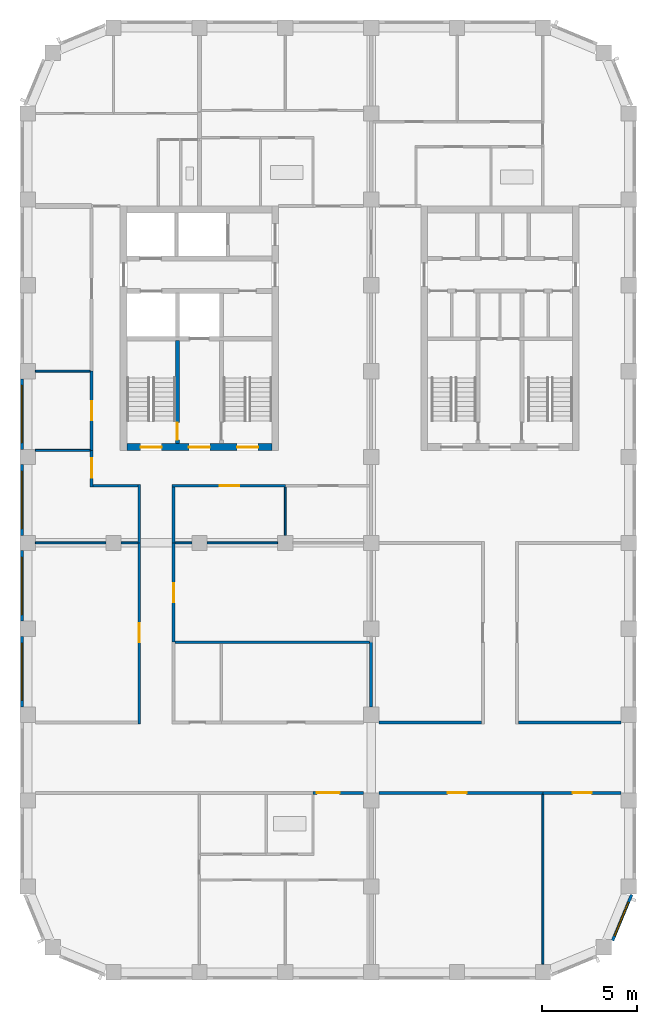
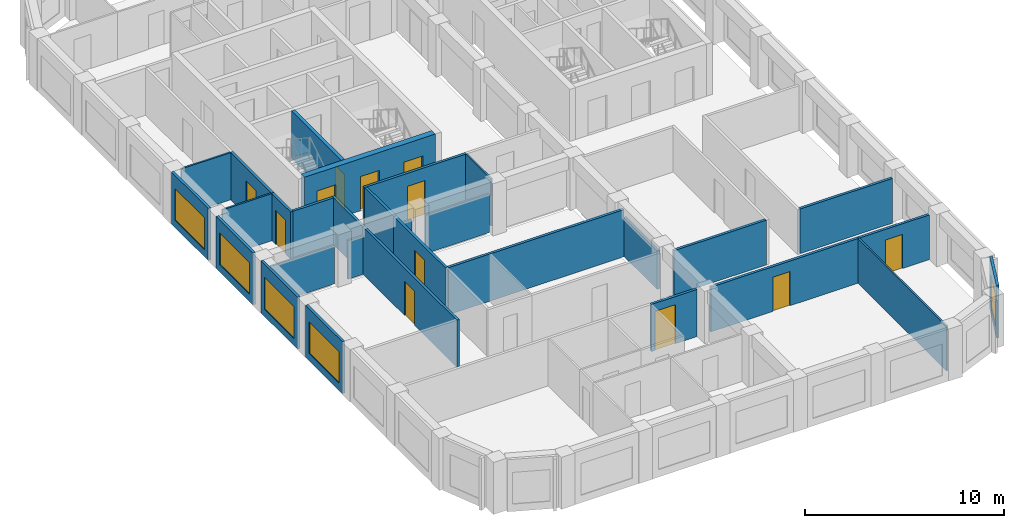
# One storey, part 3 of 10: 30 walls, 12 doors, 5 windows, 17 openings.
"""IFC4 building model written with IfcOpenShell, lengths in metres."""

from ifc_helpers import new_model, si_unit, direction, frame, frame_2d, origin, place, context, subcontext, project, spatial, rectangle, extrude, material, layer, layer_set, type_object, element, fill, save


model = new_model("IFC4")

# Units and contexts
model_context = context("Model", 3, precision=1e-05, world=origin(), true_north=direction((0.0, 1.0)))
body_context = subcontext(model_context, "Body", "Model", "MODEL_VIEW")
ifc_project = project(units=[si_unit("LENGTHUNIT", "METRE"), si_unit("AREAUNIT", "SQUARE_METRE"), si_unit("VOLUMEUNIT", "CUBIC_METRE"), si_unit("PLANEANGLEUNIT", "RADIAN"), si_unit("MASSUNIT", "GRAM", prefix="KILO")], contexts=[model_context])

# Site, building, storey
site_placement = place(None, origin())
site = spatial("IfcSite", under=ifc_project, at=site_placement, CompositionType="ELEMENT")
building_placement = place(site_placement, origin())
building = spatial("IfcBuilding", under=site, at=building_placement, Name="Girih Gate Residences", CompositionType="ELEMENT")
storey_placement = place(building_placement, frame((0.0, 0.0, 210.094970703125)))
storey = spatial("IfcBuildingStorey", under=building, at=storey_placement, Name="L58", CompositionType="ELEMENT", Elevation=210.094970703125)

# Wall, opening, door
ifc_material_1 = material(Name="Gypsum board on steel studs", Category="steel")
ifc_layer_1 = layer(ifc_material_1, 0.14990234375)
ifc_layer_set_1 = layer_set([ifc_layer_1], Name="Compartment wall 150 mm")
wall_type_1 = type_object("IfcWallType", Name="Compartment wall 150 mm", PredefinedType="PARTITIONING", material=ifc_layer_set_1)
wall_1_placement = place(storey_placement, frame((17.60009765625, 9.39990234375, 0.0), z_axis=(0.0, 0.0, 1.0), x_axis=(-1.0, 0.0, 0.0)))
wall_1 = element("IfcWall", 1, at=wall_1_placement, inside=storey, type_object=wall_type_1, Name="L58 partition", PredefinedType="PARTITIONING", context=body_context, shape_type="SweptSolid", body=[
    extrude(rectangle(XDim=2.650146484375, YDim=0.14990234375, at=frame_2d((1.3251953125, 0.0))), origin(), (0.0, 0.0, 1.0), 2.900146484375),
])
opening_1_placement = place(wall_1_placement, frame((1.25, 0.0, 0.0)))
opening_1 = element("IfcOpeningElement", 2, at=opening_1_placement, cuts=wall_1, Name="Opening A58-006", PredefinedType="OPENING", context=body_context, shape_type="SweptSolid", body=[
    extrude(rectangle(XDim=1.199951171875, YDim=2.39990234375, at=frame_2d((0.60009765625, 1.199951171875))), frame((0.0, 0.0849609375, 0.0), z_axis=(0.0, -1.0, 0.0), x_axis=(1.0, 0.0, 0.0)), (0.0, 0.0, 1.0), 0.169921875),
])
ifc_material_2 = material(Name="Timber, fire-rated core", Category="wood")
door_type_1 = type_object("IfcDoorType", Name="Villa entrance door 1200x2400 FD30S", OperationType="NOTDEFINED", PredefinedType="DOOR", material=ifc_material_2)
door_1_placement = place(opening_1_placement, origin())
door_1 = element("IfcDoor", 3, at=door_1_placement, inside=storey, type_object=door_type_1, Name="Door A58-006", OperationType="SINGLE_SWING_RIGHT", OverallHeight=2.39990234375, OverallWidth=1.199951171875, PredefinedType="DOOR", context=body_context, shape_type="SweptSolid", body=[
    extrude(rectangle(XDim=1.199951171875, YDim=2.39990234375, at=frame_2d((0.60009765625, 1.199951171875))), frame((0.0, 0.02490234375, 0.0), z_axis=(0.0, -1.0, 0.0), x_axis=(1.0, 0.0, 0.0)), (0.0, 0.0, 1.0), 0.050048828125),
])
fill(opening_1, door_1)

wall_2_placement = place(storey_placement, frame((7.64990234375, 22.5, 0.0), z_axis=(0.0, 0.0, 1.0), x_axis=(0.0, -1.0, 0.0)))
wall_2 = element("IfcWall", 4, at=wall_2_placement, inside=storey, type_object=wall_type_1, Name="L58 partition", PredefinedType="PARTITIONING", context=body_context, shape_type="SweptSolid", body=[
    extrude(rectangle(XDim=5.199951171875, YDim=0.14990234375, at=frame_2d((2.60009765625, 0.0))), origin(), (0.0, 0.0, 1.0), 2.900146484375),
])
opening_2_placement = place(wall_2_placement, frame((2.10009765625, 0.0, 0.0)))
opening_2 = element("IfcOpeningElement", 5, at=opening_2_placement, cuts=wall_2, Name="Opening A58-023", PredefinedType="OPENING", context=body_context, shape_type="SweptSolid", body=[
    extrude(rectangle(XDim=1.0, YDim=2.10009765625, at=frame_2d((0.5, 1.050048828125))), frame((0.0, 0.0849609375, 0.0), z_axis=(0.0, -1.0, 0.0), x_axis=(1.0, 0.0, 0.0)), (0.0, 0.0, 1.0), 0.169921875),
])
door_type_2 = type_object("IfcDoorType", Name="Amenity room door 1000x2100 FD30S", OperationType="NOTDEFINED", PredefinedType="DOOR", material=ifc_material_2)
door_2_placement = place(opening_2_placement, origin())
door_2 = element("IfcDoor", 6, at=door_2_placement, inside=storey, type_object=door_type_2, Name="Door A58-023", OperationType="SINGLE_SWING_RIGHT", OverallHeight=2.10009765625, OverallWidth=1.0, PredefinedType="DOOR", context=body_context, shape_type="SweptSolid", body=[
    extrude(rectangle(XDim=1.0, YDim=2.10009765625, at=frame_2d((0.5, 1.050048828125))), frame((0.0, 0.02490234375, 0.0), z_axis=(0.0, -1.0, 0.0), x_axis=(1.0, 0.0, 0.0)), (0.0, 0.0, 1.0), 0.050048828125),
])
fill(opening_2, door_2)

# Wall
wall_3_placement = place(storey_placement, frame((7.72509765625, 17.300048828125, 0.0), z_axis=(0.0, 0.0, 1.0), x_axis=(1.0, 0.0, 0.0)))
element("IfcWall", 7, at=wall_3_placement, inside=storey, type_object=wall_type_1, Name="L58 partition", PredefinedType="PARTITIONING", context=body_context, shape_type="SweptSolid", body=[
    extrude(rectangle(XDim=10.199951171875, YDim=0.14990234375, at=frame_2d((5.10009765625, 0.0))), origin(), (0.0, 0.0, 1.0), 2.900146484375),
])

# Wall, opening, door
wall_4_placement = place(storey_placement, frame((27.0, 9.39990234375, 0.0), z_axis=(0.0, 0.0, 1.0), x_axis=(-1.0, 0.0, 0.0)))
wall_4 = element("IfcWall", 8, at=wall_4_placement, inside=storey, type_object=wall_type_1, Name="L58 partition", PredefinedType="PARTITIONING", context=body_context, shape_type="SweptSolid", body=[
    extrude(rectangle(XDim=8.60009765625, YDim=0.14990234375, at=frame_2d((4.300048828125, 0.0))), origin(), (0.0, 0.0, 1.0), 2.75),
])
opening_3_placement = place(wall_4_placement, frame((4.0, 0.0, 0.0)))
opening_3 = element("IfcOpeningElement", 9, at=opening_3_placement, cuts=wall_4, Name="Opening A58-025", PredefinedType="OPENING", context=body_context, shape_type="SweptSolid", body=[
    extrude(rectangle(XDim=1.0, YDim=2.10009765625, at=frame_2d((0.5, 1.050048828125))), frame((0.0, 0.0849609375, 0.0), z_axis=(0.0, -1.0, 0.0), x_axis=(1.0, 0.0, 0.0)), (0.0, 0.0, 1.0), 0.169921875),
])
door_3_placement = place(opening_3_placement, origin())
door_3 = element("IfcDoor", 10, at=door_3_placement, inside=storey, type_object=door_type_2, Name="Door A58-025", OperationType="SINGLE_SWING_RIGHT", OverallHeight=2.10009765625, OverallWidth=1.0, PredefinedType="DOOR", context=body_context, shape_type="SweptSolid", body=[
    extrude(rectangle(XDim=1.0, YDim=2.10009765625, at=frame_2d((0.5, 1.050048828125))), frame((0.0, 0.02490234375, 0.0), z_axis=(0.0, -1.0, 0.0), x_axis=(1.0, 0.0, 0.0)), (0.0, 0.0, 1.0), 0.050048828125),
])
fill(opening_3, door_3)

wall_5_placement = place(storey_placement, frame((31.10009765625, 9.39990234375, 0.0), z_axis=(0.0, 0.0, 1.0), x_axis=(-1.0, 0.0, 0.0)))
wall_5 = element("IfcWall", 11, at=wall_5_placement, inside=storey, type_object=wall_type_1, Name="L58 partition", PredefinedType="PARTITIONING", context=body_context, shape_type="SweptSolid", body=[
    extrude(rectangle(XDim=4.10009765625, YDim=0.14990234375, at=frame_2d((2.050048828125, 0.0))), origin(), (0.0, 0.0, 1.0), 2.75),
])
opening_4_placement = place(wall_5_placement, frame((1.550048828125, 0.0, 0.0)))
opening_4 = element("IfcOpeningElement", 12, at=opening_4_placement, cuts=wall_5, Name="Opening A58-026", PredefinedType="OPENING", context=body_context, shape_type="SweptSolid", body=[
    extrude(rectangle(XDim=1.0, YDim=2.10009765625, at=frame_2d((0.5, 1.050048828125))), frame((0.0, 0.0849609375, 0.0), z_axis=(0.0, -1.0, 0.0), x_axis=(1.0, 0.0, 0.0)), (0.0, 0.0, 1.0), 0.169921875),
])
door_4_placement = place(opening_4_placement, origin())
door_4 = element("IfcDoor", 13, at=door_4_placement, inside=storey, type_object=door_type_2, Name="Door A58-026", OperationType="SINGLE_SWING_RIGHT", OverallHeight=2.10009765625, OverallWidth=1.0, PredefinedType="DOOR", context=body_context, shape_type="SweptSolid", body=[
    extrude(rectangle(XDim=1.0, YDim=2.10009765625, at=frame_2d((0.5, 1.050048828125))), frame((0.0, 0.02490234375, 0.0), z_axis=(0.0, -1.0, 0.0), x_axis=(1.0, 0.0, 0.0)), (0.0, 0.0, 1.0), 0.050048828125),
])
fill(opening_4, door_4)

# Walls
for number, where, z_axis, x_axis, name in (
    (14, (18.39990234375, 13.10009765625, 0.0), (0.0, 0.0, 1.0), (1.0, 0.0, 0.0), "L58 partition"),
    (15, (25.72509765625, 13.10009765625, 0.0), (0.0, 0.0, 1.0), (1.0, 0.0, 0.0), "L58 partition"),
):
    element("IfcWall", number, at=place(storey_placement, frame(where, z_axis=z_axis, x_axis=x_axis)), inside=storey, type_object=wall_type_1, Name=name, PredefinedType="PARTITIONING", context=body_context, shape_type="SweptSolid", body=[
        extrude(rectangle(XDim=5.375, YDim=0.14990234375, at=frame_2d((2.6875, 0.0))), origin(), (0.0, 0.0, 1.0), 2.75),
    ])
wall_6_placement = place(storey_placement, frame((18.0, 13.89990234375, 0.0), z_axis=(0.0, 0.0, 1.0), x_axis=(0.0, 1.0, 0.0)))
element("IfcWall", 16, at=wall_6_placement, inside=storey, type_object=wall_type_1, Name="L58 partition", PredefinedType="PARTITIONING", context=body_context, shape_type="SweptSolid", body=[
    extrude(rectangle(XDim=3.400146484375, YDim=0.14990234375, at=frame_2d((1.7001953125, 0.0))), origin(), (0.0, 0.0, 1.0), 2.380126953125),
])
wall_7_placement = place(storey_placement, frame((5.85009765625, 22.5, 0.0), z_axis=(0.0, 0.0, 1.0), x_axis=(0.0, 1.0, 0.0)))
element("IfcWall", 17, at=wall_7_placement, inside=storey, type_object=wall_type_1, Name="L58 partition", PredefinedType="PARTITIONING", context=body_context, shape_type="SweptSolid", body=[
    extrude(rectangle(XDim=3.074951171875, YDim=0.14990234375, at=frame_2d((1.53759765625, 0.0))), origin(), (0.0, 0.0, 1.0), 2.900146484375),
])
wall_8_placement = place(storey_placement, frame((3.425048828125, 25.5, 0.0), z_axis=(0.0, 0.0, 1.0), x_axis=(1.0, 0.0, 0.0)))
element("IfcWall", 18, at=wall_8_placement, inside=storey, type_object=wall_type_1, Name="L58 partition", PredefinedType="PARTITIONING", context=body_context, shape_type="SweptSolid", body=[
    extrude(rectangle(XDim=2.349853515625, YDim=0.14990234375, at=frame_2d((1.1748046875, 0.0))), origin(), (0.0, 0.0, 1.0), 2.900146484375),
])

# Wall, opening, door
wall_9_placement = place(storey_placement, frame((3.35009765625, 25.425048828125, 0.0), z_axis=(0.0, 0.0, 1.0), x_axis=(0.0, 1.0, 0.0)))
wall_9 = element("IfcWall", 19, at=wall_9_placement, inside=storey, type_object=wall_type_1, Name="L58 partition", PredefinedType="PARTITIONING", context=body_context, shape_type="SweptSolid", body=[
    extrude(rectangle(XDim=1.925048828125, YDim=0.14990234375, at=frame_2d((0.96240234375, 0.0))), origin(), (0.0, 0.0, 1.0), 2.900146484375),
])
opening_5_placement = place(wall_9_placement, frame((0.5, 0.0, 0.0)))
opening_5 = element("IfcOpeningElement", 20, at=opening_5_placement, cuts=wall_9, Name="Opening A58-031", PredefinedType="OPENING", context=body_context, shape_type="SweptSolid", body=[
    extrude(rectangle(XDim=1.0, YDim=2.10009765625, at=frame_2d((0.5, 1.050048828125))), frame((0.0, 0.0849609375, 0.0), z_axis=(0.0, -1.0, 0.0), x_axis=(1.0, 0.0, 0.0)), (0.0, 0.0, 1.0), 0.169921875),
])
door_5_placement = place(opening_5_placement, origin())
door_5 = element("IfcDoor", 21, at=door_5_placement, inside=storey, type_object=door_type_2, Name="Door A58-031", OperationType="SINGLE_SWING_RIGHT", OverallHeight=2.10009765625, OverallWidth=1.0, PredefinedType="DOOR", context=body_context, shape_type="SweptSolid", body=[
    extrude(rectangle(XDim=1.0, YDim=2.10009765625, at=frame_2d((0.5, 1.050048828125))), frame((0.0, 0.02490234375, 0.0), z_axis=(0.0, -1.0, 0.0), x_axis=(1.0, 0.0, 0.0)), (0.0, 0.0, 1.0), 0.050048828125),
])
fill(opening_5, door_5)

wall_10_placement = place(storey_placement, frame((13.5, 25.5, 0.0), z_axis=(0.0, 0.0, 1.0), x_axis=(-1.0, 0.0, 0.0)))
wall_10 = element("IfcWall", 22, at=wall_10_placement, inside=storey, type_object=wall_type_1, Name="L58 partition", PredefinedType="PARTITIONING", context=body_context, shape_type="SweptSolid", body=[
    extrude(rectangle(XDim=5.925048828125, YDim=0.14990234375, at=frame_2d((2.96240234375, 0.0))), origin(), (0.0, 0.0, 1.0), 2.900146484375),
])
opening_6_placement = place(wall_10_placement, frame((2.425048828125, 0.0, 0.0)))
opening_6 = element("IfcOpeningElement", 23, at=opening_6_placement, cuts=wall_10, Name="Opening A58-032", PredefinedType="OPENING", context=body_context, shape_type="SweptSolid", body=[
    extrude(rectangle(XDim=1.0, YDim=2.10009765625, at=frame_2d((0.5, 1.050048828125))), frame((0.0, 0.0849609375, 0.0), z_axis=(0.0, -1.0, 0.0), x_axis=(1.0, 0.0, 0.0)), (0.0, 0.0, 1.0), 0.169921875),
])
door_6_placement = place(opening_6_placement, origin())
door_6 = element("IfcDoor", 24, at=door_6_placement, inside=storey, type_object=door_type_2, Name="Door A58-032", OperationType="SINGLE_SWING_LEFT", OverallHeight=2.10009765625, OverallWidth=1.0, PredefinedType="DOOR", context=body_context, shape_type="SweptSolid", body=[
    extrude(rectangle(XDim=1.0, YDim=2.10009765625, at=frame_2d((0.5, 1.050048828125))), frame((0.0, 0.02490234375, 0.0), z_axis=(0.0, -1.0, 0.0), x_axis=(1.0, 0.0, 0.0)), (0.0, 0.0, 1.0), 0.050048828125),
])
fill(opening_6, door_6)

# Wall
wall_11_placement = place(storey_placement, frame((7.64990234375, 22.5, 0.0), z_axis=(0.0, 0.0, 1.0), x_axis=(0.0, 1.0, 0.0)))
element("IfcWall", 25, at=wall_11_placement, inside=storey, type_object=wall_type_1, Name="L58 partition", PredefinedType="PARTITIONING", context=body_context, shape_type="SweptSolid", body=[
    extrude(rectangle(XDim=2.925048828125, YDim=0.14990234375, at=frame_2d((1.46240234375, 0.0))), origin(), (0.0, 0.0, 1.0), 2.900146484375),
])

# Wall, opening, door
wall_12_placement = place(storey_placement, frame((3.35009765625, 27.35009765625, 0.0), z_axis=(0.0, 0.0, 1.0), x_axis=(0.0, 1.0, 0.0)))
wall_12 = element("IfcWall", 26, at=wall_12_placement, inside=storey, type_object=wall_type_1, Name="L58 partition", PredefinedType="PARTITIONING", context=body_context, shape_type="SweptSolid", body=[
    extrude(rectangle(XDim=4.14990234375, YDim=0.14990234375, at=frame_2d((2.074951171875, 0.0))), origin(), (0.0, 0.0, 1.0), 2.900146484375),
])
opening_7_placement = place(wall_12_placement, frame((1.574951171875, 0.0, 0.0)))
opening_7 = element("IfcOpeningElement", 27, at=opening_7_placement, cuts=wall_12, Name="Opening A58-034", PredefinedType="OPENING", context=body_context, shape_type="SweptSolid", body=[
    extrude(rectangle(XDim=1.0, YDim=2.10009765625, at=frame_2d((0.5, 1.050048828125))), frame((0.0, 0.0849609375, 0.0), z_axis=(0.0, -1.0, 0.0), x_axis=(1.0, 0.0, 0.0)), (0.0, 0.0, 1.0), 0.169921875),
])
door_7_placement = place(opening_7_placement, origin())
door_7 = element("IfcDoor", 28, at=door_7_placement, inside=storey, type_object=door_type_2, Name="Door A58-034", OperationType="SINGLE_SWING_RIGHT", OverallHeight=2.10009765625, OverallWidth=1.0, PredefinedType="DOOR", context=body_context, shape_type="SweptSolid", body=[
    extrude(rectangle(XDim=1.0, YDim=2.10009765625, at=frame_2d((0.5, 1.050048828125))), frame((0.0, 0.02490234375, 0.0), z_axis=(0.0, -1.0, 0.0), x_axis=(1.0, 0.0, 0.0)), (0.0, 0.0, 1.0), 0.050048828125),
])
fill(opening_7, door_7)

wall_13_placement = place(storey_placement, frame((5.85009765625, 13.02490234375, 0.0), z_axis=(0.0, 0.0, 1.0), x_axis=(0.0, 1.0, 0.0)))
wall_13 = element("IfcWall", 29, at=wall_13_placement, inside=storey, type_object=wall_type_1, Name="L58 partition", PredefinedType="PARTITIONING", context=body_context, shape_type="SweptSolid", body=[
    extrude(rectangle(XDim=9.47509765625, YDim=0.14990234375, at=frame_2d((4.737548828125, 0.0))), origin(), (0.0, 0.0, 1.0), 2.900146484375),
])
opening_8_placement = place(wall_13_placement, frame((4.27490234375, 0.0, 0.0)))
opening_8 = element("IfcOpeningElement", 30, at=opening_8_placement, cuts=wall_13, Name="Opening A58-036", PredefinedType="OPENING", context=body_context, shape_type="SweptSolid", body=[
    extrude(rectangle(XDim=1.0, YDim=2.10009765625, at=frame_2d((0.5, 1.050048828125))), frame((0.0, 0.0849609375, 0.0), z_axis=(0.0, -1.0, 0.0), x_axis=(1.0, 0.0, 0.0)), (0.0, 0.0, 1.0), 0.169921875),
])
door_8_placement = place(opening_8_placement, origin())
door_8 = element("IfcDoor", 31, at=door_8_placement, inside=storey, type_object=door_type_2, Name="Door A58-036", OperationType="SINGLE_SWING_RIGHT", OverallHeight=2.10009765625, OverallWidth=1.0, PredefinedType="DOOR", context=body_context, shape_type="SweptSolid", body=[
    extrude(rectangle(XDim=1.0, YDim=2.10009765625, at=frame_2d((0.5, 1.050048828125))), frame((0.0, 0.02490234375, 0.0), z_axis=(0.0, -1.0, 0.0), x_axis=(1.0, 0.0, 0.0)), (0.0, 0.0, 1.0), 0.050048828125),
])
fill(opening_8, door_8)

# Wall, openings, doors
ifc_material_3 = material(Name="Concrete C60/75", Category="concrete")
ifc_layer_2 = layer(ifc_material_3, 0.35009765625)
ifc_layer_set_2 = layer_set([ifc_layer_2], Name="Core wall RC 350 Concrete C60/75")
wall_type_2 = type_object("IfcWallType", Name="Core wall RC 350 Concrete C60/75", PredefinedType="SOLIDWALL", material=ifc_layer_set_2)
wall_14_placement = place(storey_placement, frame((5.199951171875, 27.52490234375, 0.0), z_axis=(0.0, 0.0, 1.0), x_axis=(1.0, 0.0, 0.0)))
wall_14 = element("IfcWall", 32, at=wall_14_placement, inside=storey, type_object=wall_type_2, Name="Core wall W-S L58", PredefinedType="SOLIDWALL", context=body_context, shape_type="SweptSolid", body=[
    extrude(rectangle(XDim=7.60009765625, YDim=0.35009765625, at=frame_2d((3.800048828125, 0.0))), origin(), (0.0, 0.0, 1.0), 3.199951171875),
])
opening_9_placement = place(wall_14_placement, frame((0.72509765625, 0.0, 0.0)))
opening_9 = element("IfcOpeningElement", 33, at=opening_9_placement, cuts=wall_14, Name="Opening D-L58-W-008", PredefinedType="OPENING", context=body_context, shape_type="SweptSolid", body=[
    extrude(rectangle(XDim=1.10009765625, YDim=2.10009765625, at=frame_2d((0.550048828125, 1.050048828125))), frame((0.0, 0.18505859375, 0.0), z_axis=(0.0, -1.0, 0.0), x_axis=(1.0, 0.0, 0.0)), (0.0, 0.0, 1.0), 0.3701171875),
])
opening_10_placement = place(wall_14_placement, frame((3.25, 0.0, 0.0)))
opening_10 = element("IfcOpeningElement", 34, at=opening_10_placement, cuts=wall_14, Name="Opening D-L58-W-009", PredefinedType="OPENING", context=body_context, shape_type="SweptSolid", body=[
    extrude(rectangle(XDim=1.10009765625, YDim=2.10009765625, at=frame_2d((0.550048828125, 1.050048828125))), frame((0.0, 0.18505859375, 0.0), z_axis=(0.0, -1.0, 0.0), x_axis=(1.0, 0.0, 0.0)), (0.0, 0.0, 1.0), 0.3701171875),
])
opening_11_placement = place(wall_14_placement, frame((5.77490234375, 0.0, 0.0)))
opening_11 = element("IfcOpeningElement", 35, at=opening_11_placement, cuts=wall_14, Name="Opening D-L58-W-010", PredefinedType="OPENING", context=body_context, shape_type="SweptSolid", body=[
    extrude(rectangle(XDim=1.10009765625, YDim=2.10009765625, at=frame_2d((0.550048828125, 1.050048828125))), frame((0.0, 0.18505859375, 0.0), z_axis=(0.0, -1.0, 0.0), x_axis=(1.0, 0.0, 0.0)), (0.0, 0.0, 1.0), 0.3701171875),
])
ifc_material_4 = material(Name="Painted steel, fire-resisting", Category="steel")
door_type_3 = type_object("IfcDoorType", Name="Fire door 1100x2100", OperationType="SINGLE_SWING_LEFT", PredefinedType="DOOR", material=ifc_material_4)
door_9_placement = place(opening_9_placement, origin())
door_9 = element("IfcDoor", 36, at=door_9_placement, inside=storey, type_object=door_type_3, Name="L58 W core door sta-out", OperationType="SINGLE_SWING_LEFT", OverallHeight=2.10009765625, OverallWidth=1.10009765625, PredefinedType="DOOR", context=body_context, shape_type="SweptSolid", body=[
    extrude(rectangle(XDim=1.10009765625, YDim=2.10009765625, at=frame_2d((0.550048828125, 1.050048828125))), frame((0.0, 0.02490234375, 0.0), z_axis=(0.0, -1.0, 0.0), x_axis=(1.0, 0.0, 0.0)), (0.0, 0.0, 1.0), 0.050048828125),
])
fill(opening_9, door_9)
door_10_placement = place(opening_10_placement, origin())
door_10 = element("IfcDoor", 37, at=door_10_placement, inside=storey, type_object=door_type_3, Name="L58 W core door ffl-out", OperationType="SINGLE_SWING_LEFT", OverallHeight=2.10009765625, OverallWidth=1.10009765625, PredefinedType="DOOR", context=body_context, shape_type="SweptSolid", body=[
    extrude(rectangle(XDim=1.10009765625, YDim=2.10009765625, at=frame_2d((0.550048828125, 1.050048828125))), frame((0.0, 0.02490234375, 0.0), z_axis=(0.0, -1.0, 0.0), x_axis=(1.0, 0.0, 0.0)), (0.0, 0.0, 1.0), 0.050048828125),
])
fill(opening_10, door_10)
door_11_placement = place(opening_11_placement, origin())
door_11 = element("IfcDoor", 38, at=door_11_placement, inside=storey, type_object=door_type_3, Name="L58 W core door stb-out", OperationType="SINGLE_SWING_LEFT", OverallHeight=2.10009765625, OverallWidth=1.10009765625, PredefinedType="DOOR", context=body_context, shape_type="SweptSolid", body=[
    extrude(rectangle(XDim=1.10009765625, YDim=2.10009765625, at=frame_2d((0.550048828125, 1.050048828125))), frame((0.0, 0.02490234375, 0.0), z_axis=(0.0, -1.0, 0.0), x_axis=(1.0, 0.0, 0.0)), (0.0, 0.0, 1.0), 0.050048828125),
])
fill(opening_11, door_11)

# Walls
ifc_layer_3 = layer(ifc_material_1, 0.10009765625)
ifc_layer_set_3 = layer_set([ifc_layer_3], Name="Partition 100 mm")
wall_type_3 = type_object("IfcWallType", Name="Partition 100 mm", PredefinedType="PARTITIONING", material=ifc_layer_set_3)
wall_15_placement = place(storey_placement, frame((7.72509765625, 22.5, 0.0), z_axis=(0.0, 0.0, 1.0), x_axis=(1.0, 0.0, 0.0)))
element("IfcWall", 39, at=wall_15_placement, inside=storey, type_object=wall_type_3, Name="L58 partition", PredefinedType="PARTITIONING", context=body_context, shape_type="SweptSolid", body=[
    extrude(rectangle(XDim=0.875, YDim=0.10009765625, at=frame_2d((0.4375, 0.0))), origin(), (0.0, 0.0, 1.0), 2.380126953125),
])
wall_16_placement = place(storey_placement, frame((9.39990234375, 22.5, 0.0), z_axis=(0.0, 0.0, 1.0), x_axis=(1.0, 0.0, 0.0)))
element("IfcWall", 40, at=wall_16_placement, inside=storey, type_object=wall_type_3, Name="L58 partition", PredefinedType="PARTITIONING", context=body_context, shape_type="SweptSolid", body=[
    extrude(rectangle(XDim=3.7001953125, YDim=0.10009765625, at=frame_2d((1.85009765625, 0.0))), origin(), (0.0, 0.0, 1.0), 2.380126953125),
])
wall_17_placement = place(storey_placement, frame((27.0, 0.432861328125, 0.0), z_axis=(0.0, 0.0, 1.0), x_axis=(0.0, 1.0, 0.0)))
element("IfcWall", 41, at=wall_17_placement, inside=storey, type_object=wall_type_3, Name="L58 partition", PredefinedType="PARTITIONING", context=body_context, shape_type="SweptSolid", body=[
    extrude(rectangle(XDim=8.89208984375, YDim=0.10009765625, at=frame_2d((4.446044921875, 0.0))), origin(), (0.0, 0.0, 1.0), 2.75),
])
wall_18_placement = place(storey_placement, frame((0.39990234375, 27.35009765625, 0.0), z_axis=(0.0, 0.0, 1.0), x_axis=(1.0, 0.0, 0.0)))
element("IfcWall", 42, at=wall_18_placement, inside=storey, type_object=wall_type_3, Name="L58 partition", PredefinedType="PARTITIONING", context=body_context, shape_type="SweptSolid", body=[
    extrude(rectangle(XDim=2.875, YDim=0.10009765625, at=frame_2d((1.4375, 0.0))), origin(), (0.0, 0.0, 1.0), 2.900146484375),
])
wall_19_placement = place(storey_placement, frame((4.89990234375, 22.5, 0.0), z_axis=(0.0, 0.0, 1.0), x_axis=(1.0, 0.0, 0.0)))
element("IfcWall", 43, at=wall_19_placement, inside=storey, type_object=wall_type_3, Name="L58 partition", PredefinedType="PARTITIONING", context=body_context, shape_type="SweptSolid", body=[
    extrude(rectangle(XDim=0.875, YDim=0.10009765625, at=frame_2d((0.4375, 0.0))), origin(), (0.0, 0.0, 1.0), 2.380126953125),
])
wall_20_placement = place(storey_placement, frame((0.39990234375, 22.5, 0.0), z_axis=(0.0, 0.0, 1.0), x_axis=(1.0, 0.0, 0.0)))
element("IfcWall", 44, at=wall_20_placement, inside=storey, type_object=wall_type_3, Name="L58 partition", PredefinedType="PARTITIONING", context=body_context, shape_type="SweptSolid", body=[
    extrude(rectangle(XDim=3.7001953125, YDim=0.10009765625, at=frame_2d((1.85009765625, 0.0))), origin(), (0.0, 0.0, 1.0), 2.380126953125),
])
wall_21_placement = place(storey_placement, frame((13.5, 22.89990234375, 0.0), z_axis=(0.0, 0.0, 1.0), x_axis=(0.0, 1.0, 0.0)))
element("IfcWall", 45, at=wall_21_placement, inside=storey, type_object=wall_type_3, Name="L58 partition", PredefinedType="PARTITIONING", context=body_context, shape_type="SweptSolid", body=[
    extrude(rectangle(XDim=2.525146484375, YDim=0.10009765625, at=frame_2d((1.2626953125, 0.0))), origin(), (0.0, 0.0, 1.0), 2.900146484375),
])
wall_22_placement = place(storey_placement, frame((0.39990234375, 31.5, 0.0), z_axis=(0.0, 0.0, 1.0), x_axis=(1.0, 0.0, 0.0)))
element("IfcWall", 46, at=wall_22_placement, inside=storey, type_object=wall_type_3, Name="L58 partition", PredefinedType="PARTITIONING", context=body_context, shape_type="SweptSolid", body=[
    extrude(rectangle(XDim=2.875, YDim=0.10009765625, at=frame_2d((1.4375, 0.0))), origin(), (0.0, 0.0, 1.0), 2.900146484375),
])

# Wall, opening, window
ifc_material_5 = material(Name="Precast concrete C50/60", Category="concrete")
ifc_layer_4 = layer(ifc_material_5, 0.050048828125, Name="Outer leaf")
ifc_material_6 = material(Name="Rigid PIR insulation")
ifc_layer_5 = layer(ifc_material_6, 0.06005859375, Name="Insulation")
ifc_material_7 = material(Name="Precast concrete C40/50", Category="concrete")
ifc_layer_6 = layer(ifc_material_7, 0.0400390625, Name="Inner leaf")
ifc_layer_set_4 = layer_set([ifc_layer_4, ifc_layer_5, ifc_layer_6], Name="Precast concrete C50/60 external wall 150")
wall_type_4 = type_object("IfcWallType", Name="Precast concrete C50/60 external wall 150", PredefinedType="SOLIDWALL", material=ifc_layer_set_4)
wall_23_placement = place(storey_placement, frame((31.647216796875, 4.0712890625, 0.0), z_axis=(0.0, 0.0, 1.0), x_axis=(-0.382669406082, -0.923885342263, 0.0)))
wall_23 = element("IfcWall", 47, at=wall_23_placement, inside=storey, type_object=wall_type_4, Name="External wall SE0302_0013.0", PredefinedType="SOLIDWALL", context=body_context, shape_type="SweptSolid", body=[
    extrude(rectangle(XDim=2.602294921875, YDim=0.14990234375, at=frame_2d((1.30126953125, 0.0))), origin(), (0.0, 0.0, 1.0), 3.199951171875),
])
opening_12_placement = place(wall_23_placement, frame((0.432373046875, 0.0, 0.449951171875)))
opening_12 = element("IfcOpeningElement", 48, at=opening_12_placement, cuts=wall_23, Name="Opening W-2G", PredefinedType="OPENING", context=body_context, shape_type="SweptSolid", body=[
    extrude(rectangle(XDim=1.89990234375, YDim=1.949951171875, at=frame_2d((0.949951171875, 0.97509765625))), frame((0.0, 0.0849609375, 0.0), z_axis=(0.0, -1.0, 0.0), x_axis=(1.0, 0.0, 0.0)), (0.0, 0.0, 1.0), 0.169921875),
])
ifc_material_8 = material(Name="Double glazing in aluminium frame", Category="aluminium")
window_type_1 = type_object("IfcWindowType", Name="Window W-2G 1900x1950", PartitioningType="SINGLE_PANEL", PredefinedType="WINDOW", material=ifc_material_8)
window_1_placement = place(opening_12_placement, origin())
window_1 = element("IfcWindow", 49, at=window_1_placement, inside=storey, type_object=window_type_1, Name="Window W-2G SE0302_0013.0", OverallHeight=1.949951171875, OverallWidth=1.89990234375, PartitioningType="SINGLE_PANEL", PredefinedType="WINDOW", context=body_context, shape_type="SweptSolid", body=[
    extrude(rectangle(XDim=1.89990234375, YDim=1.949951171875, at=frame_2d((0.949951171875, 0.97509765625))), frame((0.0, 0.030029296875, 0.0), z_axis=(0.0, -1.0, 0.0), x_axis=(1.0, 0.0, 0.0)), (0.0, 0.0, 1.0), 0.06005859375),
])
fill(opening_12, window_1)

wall_24_placement = place(storey_placement, frame((-0.300048828125, 27.39990234375, 0.0), z_axis=(0.0, 0.0, 1.0), x_axis=(0.0, 1.0, 0.0)))
wall_24 = element("IfcWall", 50, at=wall_24_placement, inside=storey, type_object=wall_type_4, Name="External wall W0000_0450.3", PredefinedType="SOLIDWALL", context=body_context, shape_type="SweptSolid", body=[
    extrude(rectangle(XDim=3.7001953125, YDim=0.14990234375, at=frame_2d((1.85009765625, 0.0))), origin(), (0.0, 0.0, 1.0), 3.199951171875),
])
opening_13_placement = place(wall_24_placement, frame((0.35009765625, 0.0, 0.449951171875)))
opening_13 = element("IfcOpeningElement", 51, at=opening_13_placement, cuts=wall_24, Name="Opening W-1D", PredefinedType="OPENING", context=body_context, shape_type="SweptSolid", body=[
    extrude(rectangle(XDim=3.0, YDim=1.949951171875, at=frame_2d((1.5, 0.97509765625))), frame((0.0, 0.0849609375, 0.0), z_axis=(0.0, -1.0, 0.0), x_axis=(1.0, 0.0, 0.0)), (0.0, 0.0, 1.0), 0.169921875),
])
window_type_2 = type_object("IfcWindowType", Name="Window W-1D 3000x1950", PartitioningType="SINGLE_PANEL", PredefinedType="WINDOW", material=ifc_material_8)
window_2_placement = place(opening_13_placement, origin())
window_2 = element("IfcWindow", 52, at=window_2_placement, inside=storey, type_object=window_type_2, Name="Window W-1D W0000_0450.3", OverallHeight=1.949951171875, OverallWidth=3.0, PartitioningType="SINGLE_PANEL", PredefinedType="WINDOW", context=body_context, shape_type="SweptSolid", body=[
    extrude(rectangle(XDim=3.0, YDim=1.949951171875, at=frame_2d((1.5, 0.97509765625))), frame((0.0, 0.030029296875, 0.0), z_axis=(0.0, -1.0, 0.0), x_axis=(1.0, 0.0, 0.0)), (0.0, 0.0, 1.0), 0.06005859375),
])
fill(opening_13, window_2)

wall_25_placement = place(storey_placement, frame((-0.300048828125, 22.89990234375, 0.0), z_axis=(0.0, 0.0, 1.0), x_axis=(0.0, 1.0, 0.0)))
wall_25 = element("IfcWall", 53, at=wall_25_placement, inside=storey, type_object=wall_type_4, Name="External wall W0000_0450.4", PredefinedType="SOLIDWALL", context=body_context, shape_type="SweptSolid", body=[
    extrude(rectangle(XDim=3.7001953125, YDim=0.14990234375, at=frame_2d((1.85009765625, 0.0))), origin(), (0.0, 0.0, 1.0), 3.199951171875),
])
opening_14_placement = place(wall_25_placement, frame((0.35009765625, 0.0, 0.449951171875)))
opening_14 = element("IfcOpeningElement", 54, at=opening_14_placement, cuts=wall_25, Name="Opening W-1D", PredefinedType="OPENING", context=body_context, shape_type="SweptSolid", body=[
    extrude(rectangle(XDim=3.0, YDim=1.949951171875, at=frame_2d((1.5, 0.97509765625))), frame((0.0, 0.0849609375, 0.0), z_axis=(0.0, -1.0, 0.0), x_axis=(1.0, 0.0, 0.0)), (0.0, 0.0, 1.0), 0.169921875),
])
window_3_placement = place(opening_14_placement, origin())
window_3 = element("IfcWindow", 55, at=window_3_placement, inside=storey, type_object=window_type_2, Name="Window W-1D W0000_0450.4", OverallHeight=1.949951171875, OverallWidth=3.0, PartitioningType="SINGLE_PANEL", PredefinedType="WINDOW", context=body_context, shape_type="SweptSolid", body=[
    extrude(rectangle(XDim=3.0, YDim=1.949951171875, at=frame_2d((1.5, 0.97509765625))), frame((0.0, 0.030029296875, 0.0), z_axis=(0.0, -1.0, 0.0), x_axis=(1.0, 0.0, 0.0)), (0.0, 0.0, 1.0), 0.06005859375),
])
fill(opening_14, window_3)

wall_26_placement = place(storey_placement, frame((-0.300048828125, 18.39990234375, 0.0), z_axis=(0.0, 0.0, 1.0), x_axis=(0.0, 1.0, 0.0)))
wall_26 = element("IfcWall", 56, at=wall_26_placement, inside=storey, type_object=wall_type_4, Name="External wall W0000_0450.5", PredefinedType="SOLIDWALL", context=body_context, shape_type="SweptSolid", body=[
    extrude(rectangle(XDim=3.7001953125, YDim=0.14990234375, at=frame_2d((1.85009765625, 0.0))), origin(), (0.0, 0.0, 1.0), 3.199951171875),
])
opening_15_placement = place(wall_26_placement, frame((0.35009765625, 0.0, 0.449951171875)))
opening_15 = element("IfcOpeningElement", 57, at=opening_15_placement, cuts=wall_26, Name="Opening W-1D", PredefinedType="OPENING", context=body_context, shape_type="SweptSolid", body=[
    extrude(rectangle(XDim=3.0, YDim=1.949951171875, at=frame_2d((1.5, 0.97509765625))), frame((0.0, 0.0849609375, 0.0), z_axis=(0.0, -1.0, 0.0), x_axis=(1.0, 0.0, 0.0)), (0.0, 0.0, 1.0), 0.169921875),
])
window_4_placement = place(opening_15_placement, origin())
window_4 = element("IfcWindow", 58, at=window_4_placement, inside=storey, type_object=window_type_2, Name="Window W-1D W0000_0450.5", OverallHeight=1.949951171875, OverallWidth=3.0, PartitioningType="SINGLE_PANEL", PredefinedType="WINDOW", context=body_context, shape_type="SweptSolid", body=[
    extrude(rectangle(XDim=3.0, YDim=1.949951171875, at=frame_2d((1.5, 0.97509765625))), frame((0.0, 0.030029296875, 0.0), z_axis=(0.0, -1.0, 0.0), x_axis=(1.0, 0.0, 0.0)), (0.0, 0.0, 1.0), 0.06005859375),
])
fill(opening_15, window_4)

wall_27_placement = place(storey_placement, frame((-0.300048828125, 13.89990234375, 0.0), z_axis=(0.0, 0.0, 1.0), x_axis=(0.0, 1.0, 0.0)))
wall_27 = element("IfcWall", 59, at=wall_27_placement, inside=storey, type_object=wall_type_4, Name="External wall W0000_0450.6", PredefinedType="SOLIDWALL", context=body_context, shape_type="SweptSolid", body=[
    extrude(rectangle(XDim=3.7001953125, YDim=0.14990234375, at=frame_2d((1.85009765625, 0.0))), origin(), (0.0, 0.0, 1.0), 3.199951171875),
])
opening_16_placement = place(wall_27_placement, frame((0.35009765625, 0.0, 0.449951171875)))
opening_16 = element("IfcOpeningElement", 60, at=opening_16_placement, cuts=wall_27, Name="Opening W-1D", PredefinedType="OPENING", context=body_context, shape_type="SweptSolid", body=[
    extrude(rectangle(XDim=3.0, YDim=1.949951171875, at=frame_2d((1.5, 0.97509765625))), frame((0.0, 0.0849609375, 0.0), z_axis=(0.0, -1.0, 0.0), x_axis=(1.0, 0.0, 0.0)), (0.0, 0.0, 1.0), 0.169921875),
])
window_5_placement = place(opening_16_placement, origin())
window_5 = element("IfcWindow", 61, at=window_5_placement, inside=storey, type_object=window_type_2, Name="Window W-1D W0000_0450.6", OverallHeight=1.949951171875, OverallWidth=3.0, PartitioningType="SINGLE_PANEL", PredefinedType="WINDOW", context=body_context, shape_type="SweptSolid", body=[
    extrude(rectangle(XDim=3.0, YDim=1.949951171875, at=frame_2d((1.5, 0.97509765625))), frame((0.0, 0.030029296875, 0.0), z_axis=(0.0, -1.0, 0.0), x_axis=(1.0, 0.0, 0.0)), (0.0, 0.0, 1.0), 0.06005859375),
])
fill(opening_16, window_5)

# Wall, opening, door
ifc_material_9 = material(Name="Concrete C40/50", Category="concrete")
ifc_layer_7 = layer(ifc_material_9, 0.199951171875)
ifc_layer_set_5 = layer_set([ifc_layer_7], Name="Shaft wall 200")
wall_type_5 = type_object("IfcWallType", Name="Shaft wall 200", PredefinedType="SOLIDWALL", material=ifc_layer_set_5)
wall_28_placement = place(storey_placement, frame((7.85009765625, 27.699951171875, 0.0), z_axis=(0.0, 0.0, 1.0), x_axis=(0.0, 1.0, 0.0)))
wall_28 = element("IfcWall", 62, at=wall_28_placement, inside=storey, type_object=wall_type_5, Name="L58 W core wall V1a", PredefinedType="SOLIDWALL", context=body_context, shape_type="SweptSolid", body=[
    extrude(rectangle(XDim=5.400146484375, YDim=0.199951171875, at=frame_2d((2.7001953125, 0.0))), origin(), (0.0, 0.0, 1.0), 2.900146484375),
])
opening_17_placement = place(wall_28_placement, frame((0.199951171875, 0.0, 0.0)))
opening_17 = element("IfcOpeningElement", 63, at=opening_17_placement, cuts=wall_28, Name="Opening D-L58-W-001", PredefinedType="OPENING", context=body_context, shape_type="SweptSolid", body=[
    extrude(rectangle(XDim=0.89990234375, YDim=2.10009765625, at=frame_2d((0.449951171875, 1.050048828125))), frame((0.0, 0.10986328125, 0.0), z_axis=(0.0, -1.0, 0.0), x_axis=(1.0, 0.0, 0.0)), (0.0, 0.0, 1.0), 0.219970703125),
])
door_type_4 = type_object("IfcDoorType", Name="Fire door 900x2100", OperationType="SINGLE_SWING_LEFT", PredefinedType="DOOR", material=ifc_material_4)
door_12_placement = place(opening_17_placement, origin())
door_12 = element("IfcDoor", 64, at=door_12_placement, inside=storey, type_object=door_type_4, Name="L58 W door stair 1 to firefighting lobby", OperationType="SINGLE_SWING_LEFT", OverallHeight=2.10009765625, OverallWidth=0.89990234375, PredefinedType="DOOR", context=body_context, shape_type="SweptSolid", body=[
    extrude(rectangle(XDim=0.89990234375, YDim=2.10009765625, at=frame_2d((0.449951171875, 1.050048828125))), frame((0.0, 0.02490234375, 0.0), z_axis=(0.0, -1.0, 0.0), x_axis=(1.0, 0.0, 0.0)), (0.0, 0.0, 1.0), 0.050048828125),
])
fill(opening_17, door_12)

save(model, "model.ifc")
